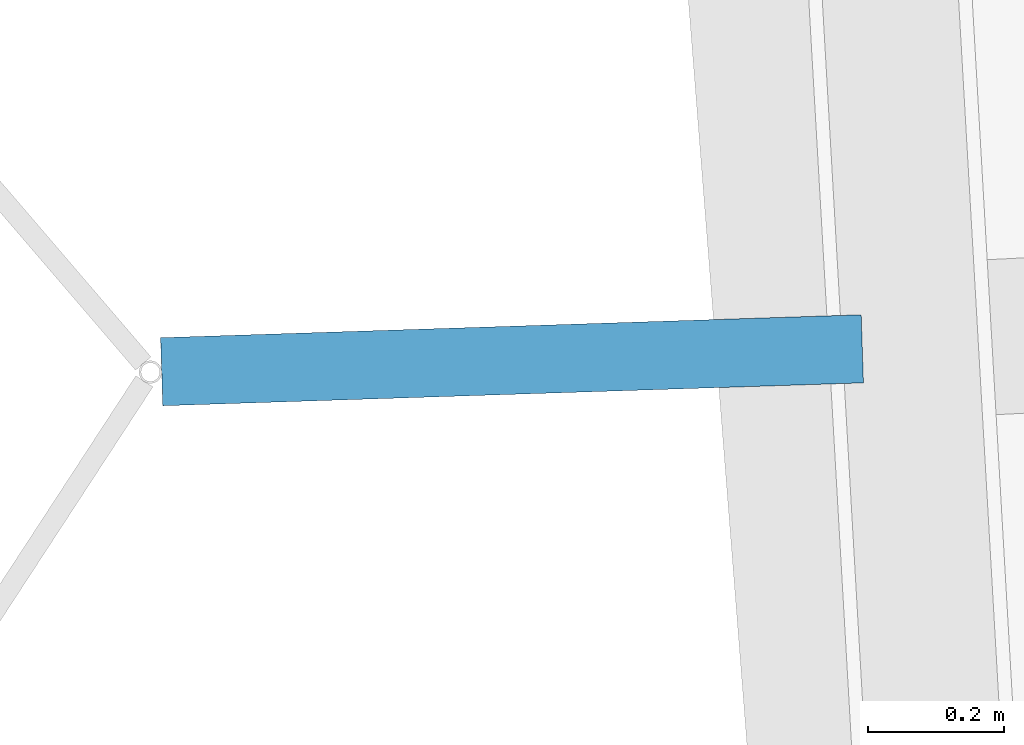
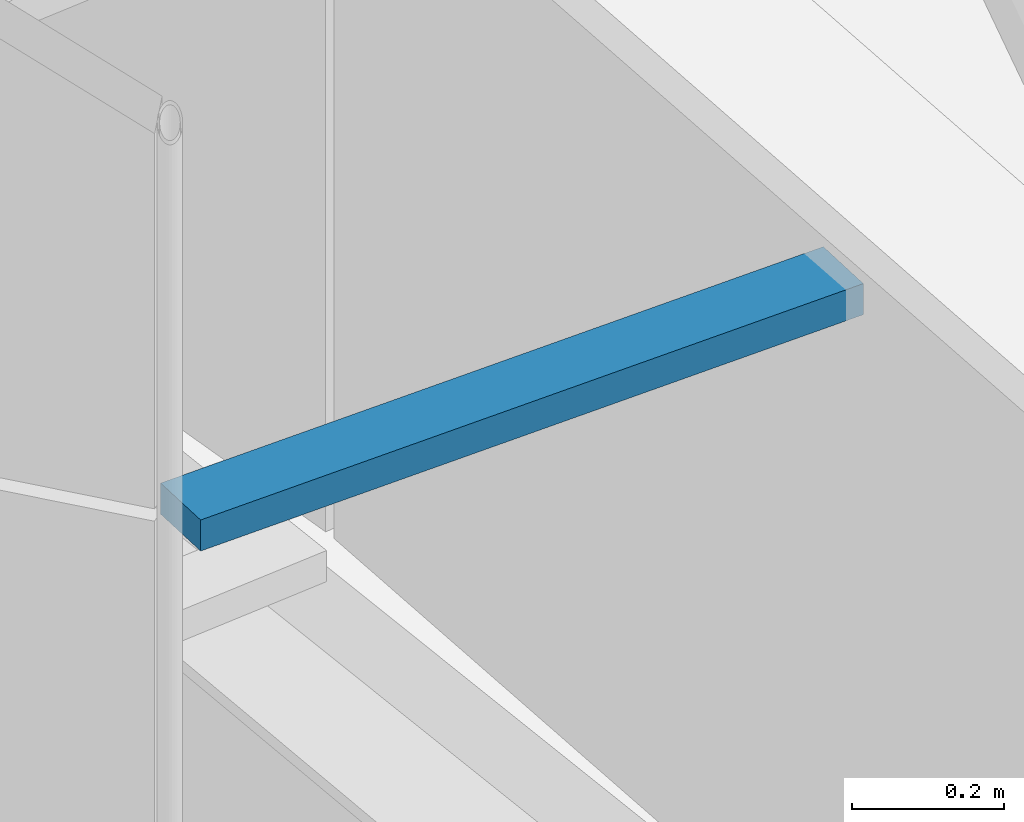
# One storey, part 202 of 483: 1 discrete accessory.
"""IFC4 building model written with IfcOpenShell, lengths in metres."""

from ifc_helpers import new_model, si_unit, direction, frame, origin, origin_2d, place, context, subcontext, project, spatial, rectangle, extrude, material, type_object, element, save


model = new_model("IFC4")

# Units and contexts
model_context = context("Model", 3, precision=1e-05, world=origin(), true_north=direction((0.0, 1.0)))
body_context = subcontext(model_context, "Body", "Model", "MODEL_VIEW")
ifc_project = project(units=[si_unit("LENGTHUNIT", "METRE"), si_unit("AREAUNIT", "SQUARE_METRE"), si_unit("VOLUMEUNIT", "CUBIC_METRE"), si_unit("PLANEANGLEUNIT", "RADIAN"), si_unit("MASSUNIT", "GRAM", prefix="KILO")], contexts=[model_context])

# Site, building, storey
site_placement = place(None, origin())
site = spatial("IfcSite", under=ifc_project, at=site_placement, CompositionType="ELEMENT")
building_placement = place(site_placement, origin())
building = spatial("IfcBuilding", under=site, at=building_placement, Name="Parallax Yard Mobility Hub", CompositionType="ELEMENT")
storey_placement = place(building_placement, frame((0.0, 0.0, 13.199951171875)))
storey = spatial("IfcBuildingStorey", under=building, at=storey_placement, Name="L04", CompositionType="ELEMENT", Elevation=13.199951171875)

# Discrete accessory
ifc_material = material(Name="Steel ASTM A36, hot-dip galvanised", Category="steel")
discrete_accessory_type = type_object("IfcDiscreteAccessoryType", Name="Hinge bracket plate 100x50", PredefinedType="BRACKET", material=ifc_material)
discrete_accessory_placement = place(storey_placement, frame((194.493408203125, 91.15576171875, 1.06982421875), z_axis=(0.0, 0.0, 1.0), x_axis=(-0.999464587476, -0.032719082822, 0.0)))
element("IfcDiscreteAccessory", 1, at=discrete_accessory_placement, inside=storey, type_object=discrete_accessory_type, Name="Hinge bracket plate bay 22.6 level L04", PredefinedType="BRACKET", context=body_context, shape_type="SweptSolid", body=[
    extrude(rectangle(XDim=1.030029296875, YDim=0.10009765625, at=origin_2d()), origin(), (0.0, 0.0, 1.0), 0.050048828125),
])

save(model, "model.ifc")
